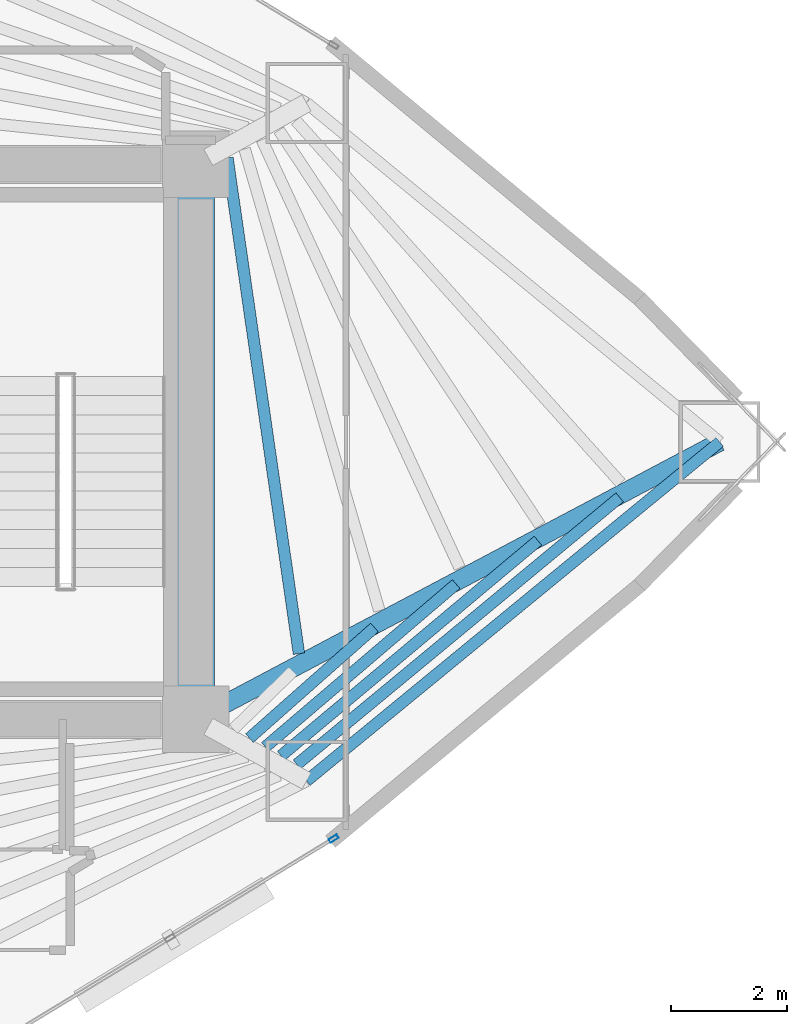
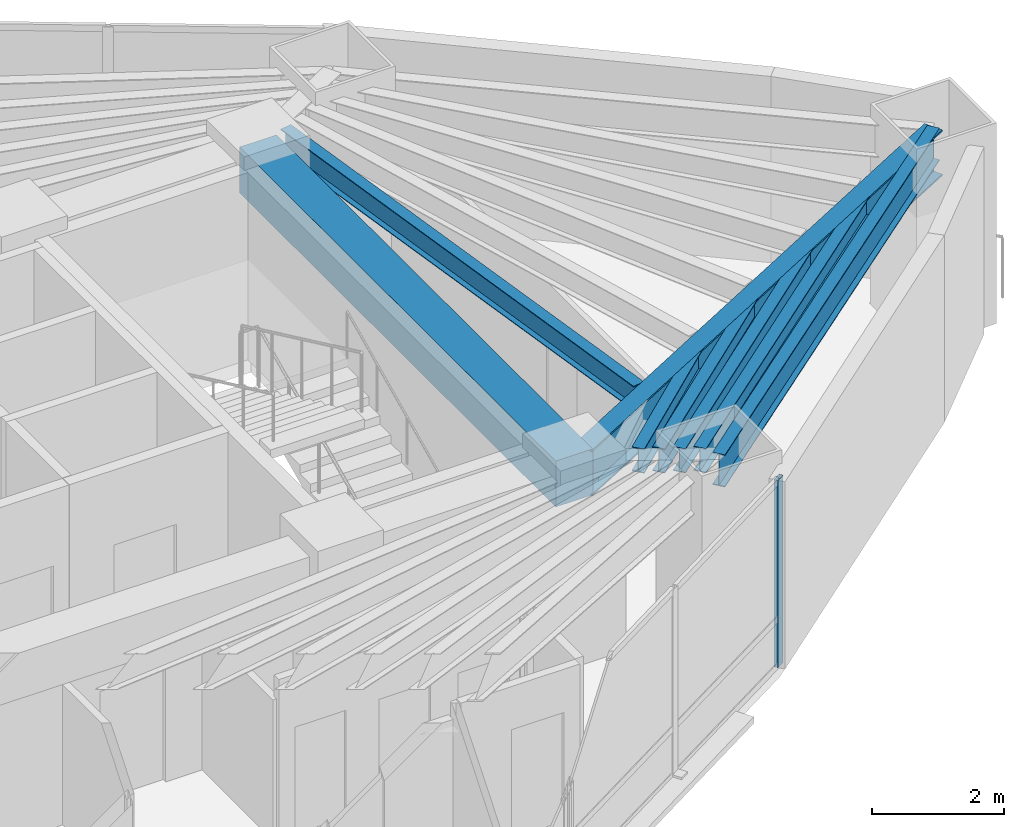
# One storey, part 6 of 17: 8 beams, 1 member, 1 element without a shape of its own.
"""IFC4 building model written with IfcOpenShell, lengths in metres."""

from ifc_helpers import new_model, si_unit, direction, frame, origin, origin_2d, place, context, subcontext, project, spatial, rectangle, hollow_rectangle, i_section, extrude, material, layer, layer_set, material_profile, profile_set, type_object, element, aggregate, save


model = new_model("IFC4")

# Units and contexts
model_context = context("Model", 3, precision=1e-05, world=origin(), true_north=direction((0.0, 1.0)))
body_context = subcontext(model_context, "Body", "Model", "MODEL_VIEW")
ifc_project = project(units=[si_unit("LENGTHUNIT", "METRE"), si_unit("AREAUNIT", "SQUARE_METRE"), si_unit("VOLUMEUNIT", "CUBIC_METRE"), si_unit("PLANEANGLEUNIT", "RADIAN"), si_unit("MASSUNIT", "GRAM", prefix="KILO")], contexts=[model_context])

# Site, building, storey
site_placement = place(None, origin())
site = spatial("IfcSite", under=ifc_project, at=site_placement, CompositionType="ELEMENT")
building_placement = place(site_placement, origin())
building = spatial("IfcBuilding", under=site, at=building_placement, Name="Menara Vayukalpa", CompositionType="ELEMENT")
storey_placement = place(building_placement, frame((0.0, 0.0, 49.919921875)))
storey = spatial("IfcBuildingStorey", under=building, at=storey_placement, Name="L11", CompositionType="ELEMENT", Elevation=49.919921875)

# Beams
ifc_material_1 = material(Name="Concrete C60/75", Category="concrete")
ifc_material_profile_1 = material_profile(ifc_material_1, rectangle(XDim=0.64990234375, YDim=0.85009765625, at=origin_2d()), Name="RC 650x850")
ifc_profile_set_1 = profile_set([ifc_material_profile_1], Name="Concrete C60/75")
beam_type_1 = type_object("IfcBeamType", Name="BM-CB1", PredefinedType="BEAM", material=ifc_profile_set_1)
beam_1_placement = place(storey_placement, frame((33.39990234375, 17.199951171875, 3.045166015625), z_axis=(0.0, 1.0, 0.0), x_axis=(-1.0, 0.0, 0.0)))
element("IfcBeam", 1, at=beam_1_placement, inside=storey, type_object=beam_type_1, Name="L11 Core Tie Beam CBR8", PredefinedType="BEAM", context=body_context, shape_type="SweptSolid", body=[
    extrude(rectangle(XDim=0.64990234375, YDim=0.85009765625, at=origin_2d()), origin(), (0.0, 0.0, 1.0), 9.60009765625),
])
ifc_material_2 = material(Name="Steel S355", Category="steel")
ifc_material_profile_2 = material_profile(ifc_material_2, i_section(OverallWidth=0.320068359375, OverallDepth=0.85009765625, WebThickness=0.01611328125, FlangeThickness=0.030029296875, at=origin_2d()), Name="WF 850x320x16x30")
ifc_profile_set_2 = profile_set([ifc_material_profile_2], Name="Steel S355")
beam_type_2 = type_object("IfcBeamType", Name="BM-PG2", PredefinedType="BEAM", material=ifc_profile_set_2)
beam_2_placement = place(storey_placement, frame((33.620849609375, 17.31689453125, 3.045166015625), z_axis=(0.883746967157, 0.467965060704, 0.0), x_axis=(-0.467965060704, 0.883746967157, 0.0)))
element("IfcBeam", 2, at=beam_2_placement, inside=storey, type_object=beam_type_2, Name="L11 Primary Radial Girder RG01", PredefinedType="BEAM", context=body_context, shape_type="SweptSolid", body=[
    extrude(i_section(OverallWidth=0.320068359375, OverallDepth=0.85009765625, WebThickness=0.01611328125, FlangeThickness=0.030029296875, at=origin_2d()), origin(), (0.0, 0.0, 1.0), 10.00732421875),
])
ifc_material_3 = material(Name="Steel S355", Category="steel")
ifc_material_profile_3 = material_profile(ifc_material_3, i_section(OverallWidth=0.199951171875, OverallDepth=0.449951171875, WebThickness=0.009033203125, FlangeThickness=0.013916015625, at=origin_2d()), Name="WF 450x200x9x14")
ifc_profile_set_3 = profile_set([ifc_material_profile_3], Name="Steel S355")
beam_type_3 = type_object("IfcBeamType", Name="BM-SJ1", PredefinedType="JOIST", material=ifc_profile_set_3)
beam_3_placement = place(storey_placement, frame((35.18701171875, 18.338134765625, 3.2451171875), z_axis=(-0.142766602183, 0.989756382804, 0.0), x_axis=(-0.989756382804, -0.142766602183, 0.0)))
element("IfcBeam", 3, at=beam_3_placement, inside=storey, type_object=beam_type_3, Name="L11 Secondary Floor Joist SJ01-1", PredefinedType="JOIST", context=body_context, shape_type="SweptSolid", body=[
    extrude(i_section(OverallWidth=0.199951171875, OverallDepth=0.449951171875, WebThickness=0.009033203125, FlangeThickness=0.013916015625, at=origin_2d()), origin(), (0.0, 0.0, 1.0), 8.6630859375),
])
beam_4_placement = place(storey_placement, frame((34.331298828125, 16.877685546875, 3.2451171875), z_axis=(0.748970728252, 0.662603084978, 0.0), x_axis=(-0.662603084978, 0.748970728252, 0.0)))
element("IfcBeam", 4, at=beam_4_placement, inside=storey, type_object=beam_type_3, Name="L11 Secondary Floor Joist SJ09-2", PredefinedType="JOIST", context=body_context, shape_type="SweptSolid", body=[
    extrude(i_section(OverallWidth=0.199951171875, OverallDepth=0.449951171875, WebThickness=0.009033203125, FlangeThickness=0.013916015625, at=origin_2d()), origin(), (0.0, 0.0, 1.0), 2.88623046875),
])
beam_5_placement = place(storey_placement, frame((34.605224609375, 16.724609375, 3.2451171875), z_axis=(0.760660716004, 0.649149655418, 0.0), x_axis=(-0.649149655418, 0.760660716004, 0.0)))
element("IfcBeam", 5, at=beam_5_placement, inside=storey, type_object=beam_type_3, Name="L11 Secondary Floor Joist SJ09-3", PredefinedType="JOIST", context=body_context, shape_type="SweptSolid", body=[
    extrude(i_section(OverallWidth=0.199951171875, OverallDepth=0.449951171875, WebThickness=0.009033203125, FlangeThickness=0.013916015625, at=origin_2d()), origin(), (0.0, 0.0, 1.0), 4.33935546875),
])
beam_6_placement = place(storey_placement, frame((34.878173828125, 16.572509765625, 3.2451171875), z_axis=(0.766661190174, 0.642051882235, 0.0), x_axis=(-0.642051882235, 0.766661190174, 0.0)))
element("IfcBeam", 6, at=beam_6_placement, inside=storey, type_object=beam_type_3, Name="L11 Secondary Floor Joist SJ09-4", PredefinedType="JOIST", context=body_context, shape_type="SweptSolid", body=[
    extrude(i_section(OverallWidth=0.199951171875, OverallDepth=0.449951171875, WebThickness=0.009033203125, FlangeThickness=0.013916015625, at=origin_2d()), origin(), (0.0, 0.0, 1.0), 5.79345703125),
])
beam_7_placement = place(storey_placement, frame((35.15087890625, 16.421142578125, 3.2451171875), z_axis=(0.770362369683, 0.637606320056, 0.0), x_axis=(-0.637606320056, 0.770362369683, 0.0)))
element("IfcBeam", 7, at=beam_7_placement, inside=storey, type_object=beam_type_3, Name="L11 Secondary Floor Joist SJ09-5", PredefinedType="JOIST", context=body_context, shape_type="SweptSolid", body=[
    extrude(i_section(OverallWidth=0.199951171875, OverallDepth=0.449951171875, WebThickness=0.009033203125, FlangeThickness=0.013916015625, at=origin_2d()), origin(), (0.0, 0.0, 1.0), 7.24755859375),
])
ifc_material_4 = material(Name="Steel S355", Category="steel")
ifc_material_profile_4 = material_profile(ifc_material_4, i_section(OverallWidth=0.199951171875, OverallDepth=0.60009765625, WebThickness=0.010986328125, FlangeThickness=0.01708984375, at=origin_2d()), Name="WF 600x200x11x17")
ifc_profile_set_4 = profile_set([ifc_material_profile_4], Name="Steel S355")
beam_type_4 = type_object("IfcBeamType", Name="BM-SP1", PredefinedType="SPANDREL", material=ifc_profile_set_4)
beam_8_placement = place(storey_placement, frame((35.318115234375, 16.13671875, 3.170166015625), z_axis=(0.773110561587, 0.63427128231, 0.0), x_axis=(-0.63427128231, 0.773110561587, 0.0)))
element("IfcBeam", 8, at=beam_8_placement, inside=storey, type_object=beam_type_4, Name="L11 Perimeter Spandrel Beam SP09", PredefinedType="SPANDREL", context=body_context, shape_type="SweptSolid", body=[
    extrude(i_section(OverallWidth=0.199951171875, OverallDepth=0.60009765625, WebThickness=0.010986328125, FlangeThickness=0.01708984375, at=origin_2d()), origin(), (0.0, 0.0, 1.0), 9.244140625),
])

# Curtain wall, member
ifc_material_5 = material(Name="Anodised Terracotta Aluminium Alloy 6063-T6", Category="masonry")
ifc_layer = layer(ifc_material_5, 0.1650390625)
ifc_layer_set = layer_set([ifc_layer], Name="Anodised Terracotta Aluminium Alloy 6063-T6")
curtain_wall_type = type_object("IfcCurtainWallType", Name="CW-CW2", PredefinedType="USERDEFINED", material=ifc_layer_set)
curtain_wall_placement = place(storey_placement, origin())
curtain_wall = element("IfcCurtainWall", 9, at=curtain_wall_placement, inside=storey, type_object=curtain_wall_type, Name="L11 Low Rise Terracotta Ribbon Curtain Wall CW2 17", ObjectType="UNITISED", PredefinedType="USERDEFINED")
ifc_material_6 = material(Name="Anodised Terracotta Aluminium Alloy 6063-T6", Category="masonry")
ifc_material_profile_5 = material_profile(ifc_material_6, hollow_rectangle(XDim=0.070068359375, YDim=0.1650390625, WallThickness=0.00390625, at=origin_2d()), Name="ALU 70x165x4")
ifc_profile_set_5 = profile_set([ifc_material_profile_5], Name="Anodised Terracotta Aluminium Alloy 6063-T6")
member_type = type_object("IfcMemberType", Name="CWM-CW2", PredefinedType="MULLION", material=ifc_profile_set_5)
member_placement = place(storey_placement, frame((35.787353515625, 15.138427734375, 0.0), z_axis=(0.0, 0.0, 1.0), x_axis=(-0.519181964377, 0.854663727945, 0.0)))
member = element("IfcMember", 10, at=member_placement, type_object=member_type, Name="CW2 mullion 3", PredefinedType="MULLION", context=body_context, shape_type="SweptSolid", body=[
    extrude(hollow_rectangle(XDim=0.070068359375, YDim=0.1650390625, WallThickness=0.00390625, at=origin_2d()), origin(), (0.0, 0.0, 1.0), 3.469970703125),
])
aggregate(curtain_wall, [member])

save(model, "model.ifc")
